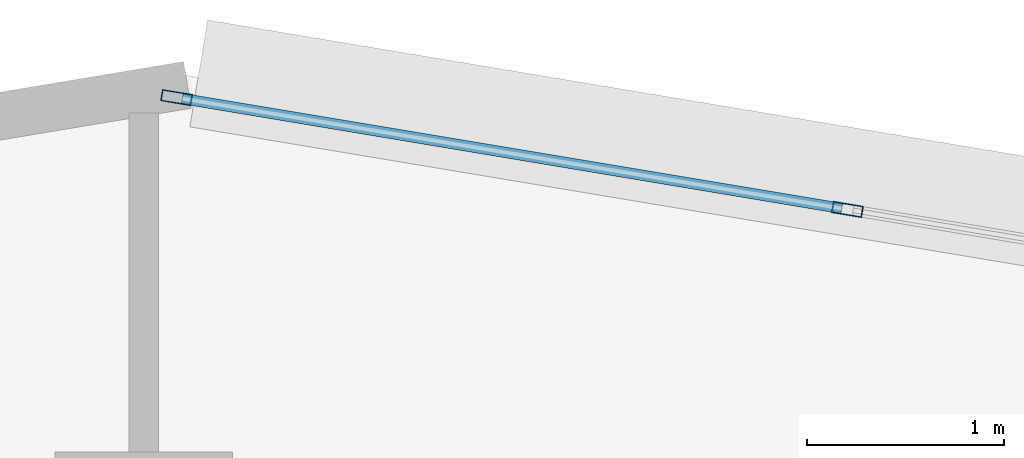
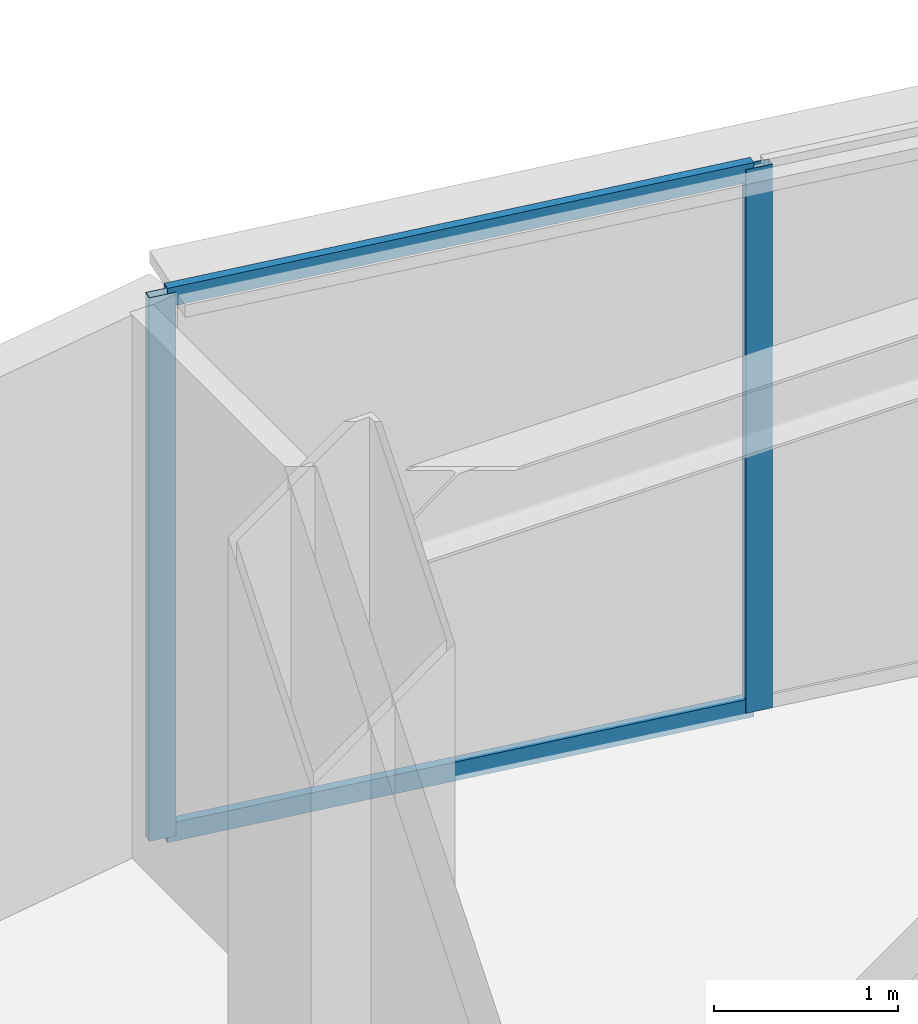
# One storey, part 2 of 14: 4 members, 1 element without a shape of its own.
"""IFC4 building model written with IfcOpenShell, lengths in metres."""

from ifc_helpers import new_model, si_unit, direction, frame, origin, origin_2d, place, context, subcontext, project, spatial, hollow_rectangle, extrude, material, layer, layer_set, material_profile, profile_set, type_object, element, aggregate, save


model = new_model("IFC4")

# Units and contexts
model_context = context("Model", 3, precision=1e-05, world=origin(), true_north=direction((0.0, 1.0)))
body_context = subcontext(model_context, "Body", "Model", "MODEL_VIEW")
ifc_project = project(units=[si_unit("LENGTHUNIT", "METRE"), si_unit("AREAUNIT", "SQUARE_METRE"), si_unit("VOLUMEUNIT", "CUBIC_METRE"), si_unit("PLANEANGLEUNIT", "RADIAN"), si_unit("MASSUNIT", "GRAM", prefix="KILO")], contexts=[model_context])

# Site, building, storey
site_placement = place(None, origin())
site = spatial("IfcSite", under=ifc_project, at=site_placement, CompositionType="ELEMENT")
building_placement = place(site_placement, origin())
building = spatial("IfcBuilding", under=site, at=building_placement, Name="Haolan Belvedere Tower", CompositionType="ELEMENT")
storey_placement = place(building_placement, frame((0.0, 0.0, 109.800048828125)))
storey = spatial("IfcBuildingStorey", under=building, at=storey_placement, Name="L27", CompositionType="ELEMENT", Elevation=109.800048828125)

# Curtain wall, members
ifc_material_1 = material(Name="Anodised champagne-silver aluminium 6063-T6 and Low-E glass", Category="aluminium")
ifc_layer = layer(ifc_material_1, 0.155029296875, Name="Anodised champagne-silver aluminium 6063-T6 and Low-E glass")
ifc_layer_set = layer_set([ifc_layer], Name="Anodised champagne-silver aluminium 6063-T6 and Low-E glass")
curtain_wall_type = type_object("IfcCurtainWallType", Name="CW-SYS-03", PredefinedType="NOTDEFINED", material=ifc_layer_set)
curtain_wall_placement = place(storey_placement, origin())
curtain_wall = element("IfcCurtainWall", 1, at=curtain_wall_placement, inside=storey, type_object=curtain_wall_type, Name="L27 CW-SYS-03 ribbon curtain wall 27.1", PredefinedType="NOTDEFINED")
ifc_material_2 = material(Name="Anodised aluminium 6063-T6", Category="aluminium")
ifc_material_profile_1 = material_profile(ifc_material_2, hollow_rectangle(XDim=0.05810546875, YDim=0.155029296875, WallThickness=0.00390625, at=origin_2d()), Name="Anodised aluminium 6063-T6")
ifc_profile_set_1 = profile_set([ifc_material_profile_1], Name="Anodised aluminium 6063-T6")
member_type_1 = type_object("IfcMemberType", Name="CW-SYS-03-MUL", PredefinedType="MULLION", material=ifc_profile_set_1)
member_1_placement = place(storey_placement, frame((41.9755859375, 52.082275390625, 0.0), z_axis=(0.0, 0.0, 1.0), x_axis=(-0.16440364043, -0.9863931483, 0.0)))
member_1 = element("IfcMember", 2, at=member_1_placement, type_object=member_type_1, Name="CW-03 mullion 2", PredefinedType="MULLION", context=body_context, shape_type="SweptSolid", body=[
    extrude(hollow_rectangle(XDim=0.05810546875, YDim=0.155029296875, WallThickness=0.00390625, at=origin_2d()), origin(), (0.0, 0.0, 1.0), 3.599853515625),
])
member_2_placement = place(storey_placement, frame((38.566650390625, 52.650634765625, 0.0), z_axis=(0.0, 0.0, 1.0), x_axis=(-0.16440364043, -0.9863931483, 0.0)))
member_2 = element("IfcMember", 3, at=member_2_placement, type_object=member_type_1, Name="CW-03 mullion 3", PredefinedType="MULLION", context=body_context, shape_type="SweptSolid", body=[
    extrude(hollow_rectangle(XDim=0.05810546875, YDim=0.155029296875, WallThickness=0.00390625, at=origin_2d()), origin(), (0.0, 0.0, 1.0), 3.599853515625),
])
ifc_material_profile_2 = material_profile(ifc_material_2, hollow_rectangle(XDim=0.053955078125, YDim=0.125, WallThickness=0.00390625, at=origin_2d()), Name="Anodised aluminium 6063-T6")
ifc_profile_set_2 = profile_set([ifc_material_profile_2], Name="Anodised aluminium 6063-T6")
member_type_2 = type_object("IfcMemberType", Name="CW-SYS-03-TRN", PredefinedType="USERDEFINED", material=ifc_profile_set_2)
member_3_placement = place(storey_placement, frame((41.947021484375, 52.087158203125, 0.02685546875), z_axis=(-0.986395865591, 0.16438733633, 0.0), x_axis=(-0.16438733633, -0.986395865591, 0.0)))
member_3 = element("IfcMember", 4, at=member_3_placement, type_object=member_type_2, Name="CW-03 transom 2.1", ObjectType="TRANSOM", PredefinedType="USERDEFINED", context=body_context, shape_type="SweptSolid", body=[
    extrude(hollow_rectangle(XDim=0.053955078125, YDim=0.125, WallThickness=0.00390625, at=origin_2d()), origin(), (0.0, 0.0, 1.0), 3.39794921875),
])
member_4_placement = place(storey_placement, frame((41.947021484375, 52.087158203125, 3.572998046875), z_axis=(-0.986395865591, 0.16438733633, 0.0), x_axis=(-0.16438733633, -0.986395865591, 0.0)))
member_4 = element("IfcMember", 5, at=member_4_placement, type_object=member_type_2, Name="CW-03 transom 2.2", ObjectType="TRANSOM", PredefinedType="USERDEFINED", context=body_context, shape_type="SweptSolid", body=[
    extrude(hollow_rectangle(XDim=0.053955078125, YDim=0.125, WallThickness=0.00390625, at=origin_2d()), origin(), (0.0, 0.0, 1.0), 3.39794921875),
])
aggregate(curtain_wall, [member_1, member_2, member_3, member_4])

save(model, "model.ifc")
